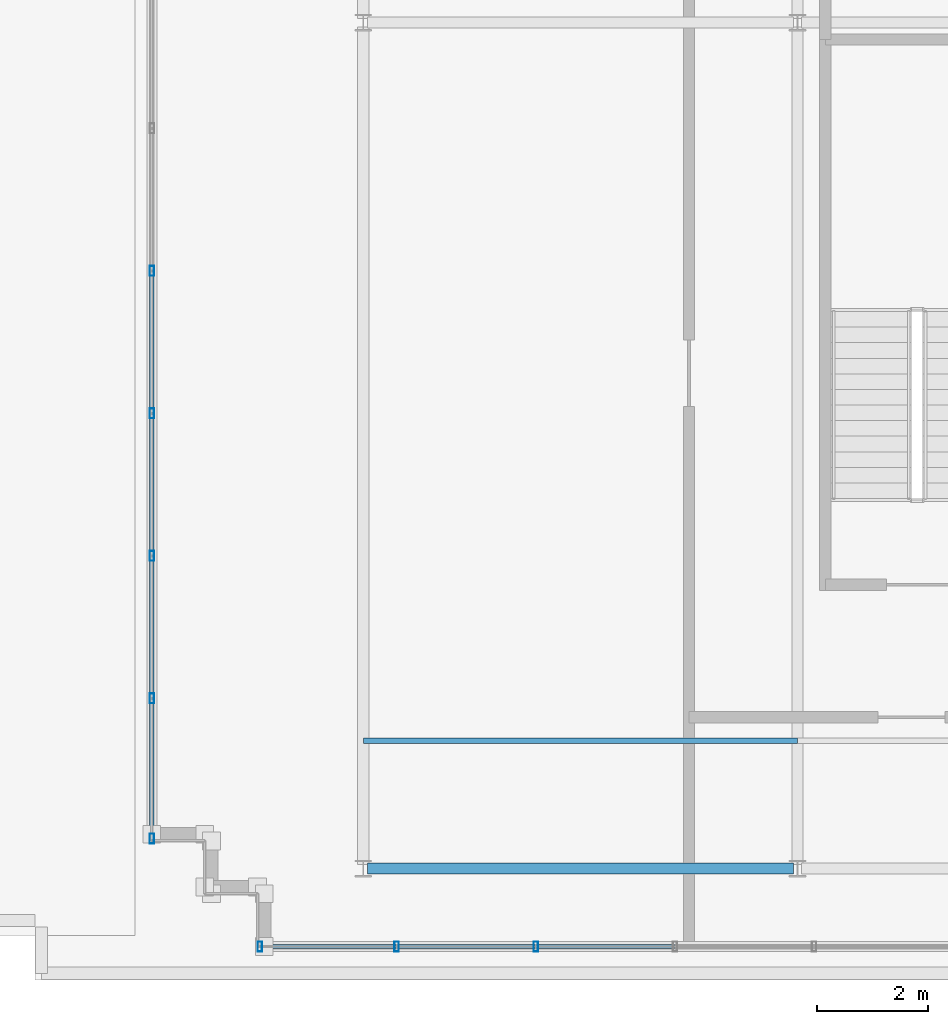
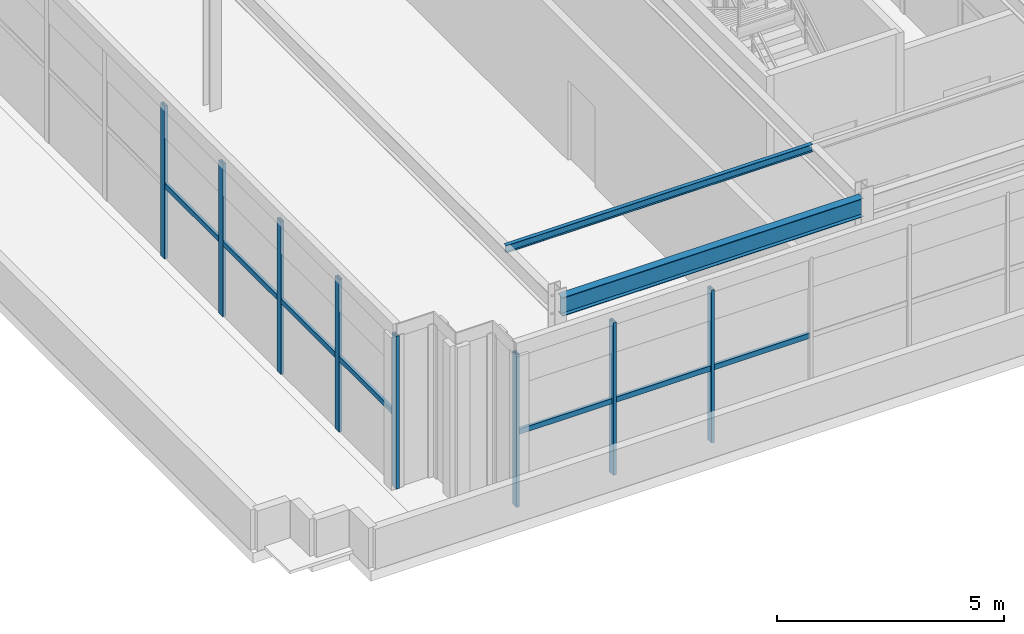
# One storey, part 13 of 28: 16 members, 1 beam, 2 elements without a shape of their own.
"""IFC4 building model written with IfcOpenShell, lengths in metres."""

from ifc_helpers import new_model, si_unit, direction, frame, origin, origin_2d, place, context, subcontext, project, spatial, hollow_rectangle, i_section, extrude, source, transform, mapped, material, material_profile, profile_set, type_object, element, aggregate, save


model = new_model("IFC4")

# Units and contexts
model_context = context("Model", 3, precision=1e-05, world=origin(), true_north=direction((0.0, 1.0)))
body_context = subcontext(model_context, "Body", "Model", "MODEL_VIEW")
ifc_project = project(units=[si_unit("LENGTHUNIT", "METRE"), si_unit("AREAUNIT", "SQUARE_METRE"), si_unit("VOLUMEUNIT", "CUBIC_METRE"), si_unit("PLANEANGLEUNIT", "RADIAN"), si_unit("MASSUNIT", "GRAM", prefix="KILO")], contexts=[model_context])

# Site, building, storey
site_placement = place(None, origin())
site = spatial("IfcSite", under=ifc_project, at=site_placement, CompositionType="ELEMENT")
building_placement = place(site_placement, origin())
building = spatial("IfcBuilding", under=site, at=building_placement, Name="Trelvane Seafront Commons", CompositionType="ELEMENT")
storey_placement = place(building_placement, frame((0.0, 0.0, 312.300048828125)))
storey = spatial("IfcBuildingStorey", under=building, at=storey_placement, Name="L81", CompositionType="ELEMENT", Elevation=312.300048828125)

# Beam
ifc_material_1 = material(Name="Steel SM355 (S355)", Category="steel")
ifc_material_profile_1 = material_profile(ifc_material_1, i_section(OverallWidth=0.199951171875, OverallDepth=0.5, WebThickness=0.010009765625, FlangeThickness=0.01611328125, at=origin_2d()), Name="H-500x200x10x16")
ifc_profile_set_1 = profile_set([ifc_material_profile_1], Name="Steel SM355 (S355)")
beam_type = type_object("IfcBeamType", Name="STR-CROWN-FRAME-RING", PredefinedType="SPANDREL", material=ifc_profile_set_1)
shared_shape_1 = source(origin(), body_context, "Body", "SweptSolid", [
    extrude(i_section(OverallWidth=0.199951171875, OverallDepth=0.5, WebThickness=0.010009765625, FlangeThickness=0.01611328125, at=origin_2d()), origin(), (0.0, 0.0, 1.0), 7.650146484375),
])
beam_placement = place(storey_placement, frame((51.074951171875, 18.199951171875, 3.85986328125), z_axis=(1.0, 0.0, 0.0), x_axis=(0.0, 1.0, 0.0)))
element("IfcBeam", 1, at=beam_placement, inside=storey, type_object=beam_type, Name="L81 CROWN FRAME Ring Beam G-03", PredefinedType="SPANDREL", context=body_context, shape_type="MappedRepresentation", body=[
    mapped(shared_shape_1, transform((0.0, 0.0, 0.0), x_axis=(1.0, 0.0, 0.0), y_axis=(0.0, 1.0, 0.0), z_axis=(0.0, 0.0, 1.0), scale=1.0)),
])

# Member
ifc_material_profile_2 = material_profile(ifc_material_1, i_section(OverallWidth=0.10009765625, OverallDepth=0.199951171875, WebThickness=0.005615234375, FlangeThickness=0.008056640625, at=origin_2d()), Name="H-200x100x5.5x8")
ifc_profile_set_2 = profile_set([ifc_material_profile_2], Name="Steel SM355 (S355)")
member_type_1 = type_object("IfcMemberType", Name="STR-PUR-H200", PredefinedType="PURLIN", material=ifc_profile_set_2)
shared_shape_2 = source(origin(), body_context, "Body", "SweptSolid", [
    extrude(i_section(OverallWidth=0.10009765625, OverallDepth=0.199951171875, WebThickness=0.005615234375, FlangeThickness=0.008056640625, at=origin_2d()), origin(), (0.0, 0.0, 1.0), 7.800048828125),
])
member_1_placement = place(storey_placement, frame((51.0, 20.5, 4.010009765625), z_axis=(1.0, 0.0, 0.0), x_axis=(0.0, 1.0, 0.0)))
element("IfcMember", 2, at=member_1_placement, inside=storey, type_object=member_type_1, Name="L81 Crown Roof Purlin PR-1", PredefinedType="PURLIN", context=body_context, shape_type="MappedRepresentation", body=[
    mapped(shared_shape_2, transform((0.0, 0.0, 0.0), x_axis=(1.0, 0.0, 0.0), y_axis=(0.0, 1.0, 0.0), z_axis=(0.0, 0.0, 1.0), scale=1.0)),
])

# Curtain wall, members
ifc_material_2 = material(Name="Anodised pale-silver aluminium", Category="aluminium")
curtain_wall_type = type_object("IfcCurtainWallType", Name="ARCH-CW6-CROWN", PredefinedType="NOTDEFINED", material=ifc_material_2)
curtain_wall_1_placement = place(storey_placement, origin())
curtain_wall_1 = element("IfcCurtainWall", 3, at=curtain_wall_1_placement, inside=storey, type_object=curtain_wall_type, Name="CW-L81-0148", PredefinedType="NOTDEFINED")
ifc_material_profile_3 = material_profile(ifc_material_2, hollow_rectangle(XDim=0.080078125, YDim=0.179931640625, WallThickness=0.00439453125, at=origin_2d()), Name="MULL-80x180x4.5")
ifc_profile_set_3 = profile_set([ifc_material_profile_3], Name="Anodised pale-silver aluminium")
member_type_2 = type_object("IfcMemberType", Name="ARCH-CW-MULL-180", PredefinedType="MULLION", material=ifc_profile_set_3)
shared_shape_3 = source(origin(), body_context, "Body", "SweptSolid", [
    extrude(hollow_rectangle(XDim=0.080078125, YDim=0.179931640625, WallThickness=0.00439453125, at=origin_2d()), origin(), (0.0, 0.0, 1.0), 4.10986328125),
])
member_2_placement = place(storey_placement, frame((47.199951171875, 18.739990234375, 0.0), z_axis=(0.0, 0.0, 1.0), x_axis=(1.0, 0.0, 0.0)))
member_2 = element("IfcMember", 4, at=member_2_placement, type_object=member_type_2, Name="CW-L81-0148-M00", PredefinedType="MULLION", context=body_context, shape_type="MappedRepresentation", body=[
    mapped(shared_shape_3, transform((0.0, 0.0, 0.0), x_axis=(1.0, 0.0, 0.0), y_axis=(0.0, 1.0, 0.0), z_axis=(0.0, 0.0, 1.0), scale=1.0)),
])
member_3_placement = place(storey_placement, frame((47.199951171875, 21.260009765625, 0.0), z_axis=(0.0, 0.0, 1.0), x_axis=(1.0, 0.0, 0.0)))
member_3 = element("IfcMember", 5, at=member_3_placement, type_object=member_type_2, Name="CW-L81-0148-M01", PredefinedType="MULLION", context=body_context, shape_type="MappedRepresentation", body=[
    mapped(shared_shape_3, transform((0.0, 0.0, 0.0), x_axis=(1.0, 0.0, 0.0), y_axis=(0.0, 1.0, 0.0), z_axis=(0.0, 0.0, 1.0), scale=1.0)),
])
member_4_placement = place(storey_placement, frame((47.199951171875, 23.820068359375, 0.0), z_axis=(0.0, 0.0, 1.0), x_axis=(1.0, 0.0, 0.0)))
member_4 = element("IfcMember", 6, at=member_4_placement, type_object=member_type_2, Name="CW-L81-0148-M02", PredefinedType="MULLION", context=body_context, shape_type="MappedRepresentation", body=[
    mapped(shared_shape_3, transform((0.0, 0.0, 0.0), x_axis=(1.0, 0.0, 0.0), y_axis=(0.0, 1.0, 0.0), z_axis=(0.0, 0.0, 1.0), scale=1.0)),
])
member_5_placement = place(storey_placement, frame((47.199951171875, 26.3798828125, 0.0), z_axis=(0.0, 0.0, 1.0), x_axis=(1.0, 0.0, 0.0)))
member_5 = element("IfcMember", 7, at=member_5_placement, type_object=member_type_2, Name="CW-L81-0148-M03", PredefinedType="MULLION", context=body_context, shape_type="MappedRepresentation", body=[
    mapped(shared_shape_3, transform((0.0, 0.0, 0.0), x_axis=(1.0, 0.0, 0.0), y_axis=(0.0, 1.0, 0.0), z_axis=(0.0, 0.0, 1.0), scale=1.0)),
])
member_6_placement = place(storey_placement, frame((47.199951171875, 28.93994140625, 0.0), z_axis=(0.0, 0.0, 1.0), x_axis=(1.0, 0.0, 0.0)))
member_6 = element("IfcMember", 8, at=member_6_placement, type_object=member_type_2, Name="CW-L81-0148-M04", PredefinedType="MULLION", context=body_context, shape_type="MappedRepresentation", body=[
    mapped(shared_shape_3, transform((0.0, 0.0, 0.0), x_axis=(1.0, 0.0, 0.0), y_axis=(0.0, 1.0, 0.0), z_axis=(0.0, 0.0, 1.0), scale=1.0)),
])

curtain_wall_2_placement = place(storey_placement, origin())
curtain_wall_2 = element("IfcCurtainWall", 9, at=curtain_wall_2_placement, inside=storey, type_object=curtain_wall_type, Name="CW-L81-0151", PredefinedType="NOTDEFINED")
member_7_placement = place(storey_placement, frame((54.10009765625, 16.800048828125, 0.0), z_axis=(0.0, 0.0, 1.0), x_axis=(1.0, 0.0, 0.0)))
member_7 = element("IfcMember", 10, at=member_7_placement, type_object=member_type_2, Name="CW-L81-0151-M04", PredefinedType="MULLION", context=body_context, shape_type="MappedRepresentation", body=[
    mapped(shared_shape_3, transform((0.0, 0.0, 0.0), x_axis=(1.0, 0.0, 0.0), y_axis=(0.0, 1.0, 0.0), z_axis=(0.0, 0.0, 1.0), scale=1.0)),
])
member_8_placement = place(storey_placement, frame((51.60009765625, 16.800048828125, 0.0), z_axis=(0.0, 0.0, 1.0), x_axis=(1.0, 0.0, 0.0)))
member_8 = element("IfcMember", 11, at=member_8_placement, type_object=member_type_2, Name="CW-L81-0151-M05", PredefinedType="MULLION", context=body_context, shape_type="MappedRepresentation", body=[
    mapped(shared_shape_3, transform((0.0, 0.0, 0.0), x_axis=(1.0, 0.0, 0.0), y_axis=(0.0, 1.0, 0.0), z_axis=(0.0, 0.0, 1.0), scale=1.0)),
])
member_9_placement = place(storey_placement, frame((49.139892578125, 16.800048828125, 0.0), z_axis=(0.0, 0.0, 1.0), x_axis=(1.0, 0.0, 0.0)))
member_9 = element("IfcMember", 12, at=member_9_placement, type_object=member_type_2, Name="CW-L81-0151-M06", PredefinedType="MULLION", context=body_context, shape_type="MappedRepresentation", body=[
    mapped(shared_shape_3, transform((0.0, 0.0, 0.0), x_axis=(1.0, 0.0, 0.0), y_axis=(0.0, 1.0, 0.0), z_axis=(0.0, 0.0, 1.0), scale=1.0)),
])

# Member
ifc_material_profile_4 = material_profile(ifc_material_2, hollow_rectangle(XDim=0.074951171875, YDim=0.139892578125, WallThickness=0.00390625, at=origin_2d()), Name="TRAN-75x140x4")
ifc_profile_set_4 = profile_set([ifc_material_profile_4], Name="Anodised pale-silver aluminium")
member_type_3 = type_object("IfcMemberType", Name="ARCH-CW-TRAN-140", PredefinedType="USERDEFINED", material=ifc_profile_set_4)
shared_shape_4 = source(origin(), body_context, "Body", "SweptSolid", [
    extrude(hollow_rectangle(XDim=0.074951171875, YDim=0.139892578125, WallThickness=0.00390625, at=origin_2d()), origin(), (0.0, 0.0, 1.0), 2.5361328125),
])
member_10_placement = place(storey_placement, frame((47.199951171875, 18.7119140625, 1.972900390625), z_axis=(0.0, 1.0, 0.0), x_axis=(-1.0, 0.0, 0.0)))
member_10 = element("IfcMember", 13, at=member_10_placement, type_object=member_type_3, Name="CW-L81-0148-T00", ObjectType="TRANSOM", PredefinedType="USERDEFINED", context=body_context, shape_type="MappedRepresentation", body=[
    mapped(shared_shape_4, transform((0.0, 0.0, 0.0), x_axis=(1.0, 0.0, 0.0), y_axis=(0.0, 1.0, 0.0), z_axis=(0.0, 0.0, 1.0), scale=1.0)),
])

member_11_placement = place(storey_placement, frame((47.199951171875, 21.27197265625, 1.972900390625), z_axis=(0.0, 1.0, 0.0), x_axis=(-1.0, 0.0, 0.0)))
member_11 = element("IfcMember", 14, at=member_11_placement, type_object=member_type_3, Name="CW-L81-0148-T01", ObjectType="TRANSOM", PredefinedType="USERDEFINED", context=body_context, shape_type="MappedRepresentation", body=[
    mapped(shared_shape_4, transform((0.0, 0.0, 0.0), x_axis=(1.0, 0.0, 0.0), y_axis=(0.0, 1.0, 0.0), z_axis=(0.0, 0.0, 1.0), scale=1.0)),
])

shared_shape_5 = source(origin(), body_context, "Body", "SweptSolid", [
    extrude(hollow_rectangle(XDim=0.074951171875, YDim=0.139892578125, WallThickness=0.00390625, at=origin_2d()), origin(), (0.0, 0.0, 1.0), 2.535888671875),
])
member_12_placement = place(storey_placement, frame((47.199951171875, 23.83203125, 1.972900390625), z_axis=(0.0, 1.0, 0.0), x_axis=(-1.0, 0.0, 0.0)))
member_12 = element("IfcMember", 15, at=member_12_placement, type_object=member_type_3, Name="CW-L81-0148-T02", ObjectType="TRANSOM", PredefinedType="USERDEFINED", context=body_context, shape_type="MappedRepresentation", body=[
    mapped(shared_shape_5, transform((0.0, 0.0, 0.0), x_axis=(1.0, 0.0, 0.0), y_axis=(0.0, 1.0, 0.0), z_axis=(0.0, 0.0, 1.0), scale=1.0)),
])

member_13_placement = place(storey_placement, frame((47.199951171875, 26.39208984375, 1.972900390625), z_axis=(0.0, 1.0, 0.0), x_axis=(-1.0, 0.0, 0.0)))
member_13 = element("IfcMember", 16, at=member_13_placement, type_object=member_type_3, Name="CW-L81-0148-T03", ObjectType="TRANSOM", PredefinedType="USERDEFINED", context=body_context, shape_type="MappedRepresentation", body=[
    mapped(shared_shape_5, transform((0.0, 0.0, 0.0), x_axis=(1.0, 0.0, 0.0), y_axis=(0.0, 1.0, 0.0), z_axis=(0.0, 0.0, 1.0), scale=1.0)),
])

aggregate(curtain_wall_1, [member_2, member_3, member_4, member_5, member_6, member_10, member_11, member_12, member_13])

shared_shape_6 = source(origin(), body_context, "Body", "SweptSolid", [
    extrude(hollow_rectangle(XDim=0.074951171875, YDim=0.139892578125, WallThickness=0.00390625, at=origin_2d()), origin(), (0.0, 0.0, 1.0), 2.475830078125),
])
member_14_placement = place(storey_placement, frame((56.587890625, 16.800048828125, 1.972900390625), z_axis=(-1.0, 0.0, 0.0), x_axis=(0.0, -1.0, 0.0)))
member_14 = element("IfcMember", 17, at=member_14_placement, type_object=member_type_3, Name="CW-L81-0151-T03", ObjectType="TRANSOM", PredefinedType="USERDEFINED", context=body_context, shape_type="MappedRepresentation", body=[
    mapped(shared_shape_6, transform((0.0, 0.0, 0.0), x_axis=(1.0, 0.0, 0.0), y_axis=(0.0, 1.0, 0.0), z_axis=(0.0, 0.0, 1.0), scale=1.0)),
])

member_15_placement = place(storey_placement, frame((54.087890625, 16.800048828125, 1.972900390625), z_axis=(-1.0, 0.0, 0.0), x_axis=(0.0, -1.0, 0.0)))
member_15 = element("IfcMember", 18, at=member_15_placement, type_object=member_type_3, Name="CW-L81-0151-T04", ObjectType="TRANSOM", PredefinedType="USERDEFINED", context=body_context, shape_type="MappedRepresentation", body=[
    mapped(shared_shape_6, transform((0.0, 0.0, 0.0), x_axis=(1.0, 0.0, 0.0), y_axis=(0.0, 1.0, 0.0), z_axis=(0.0, 0.0, 1.0), scale=1.0)),
])

member_16_placement = place(storey_placement, frame((51.587890625, 16.800048828125, 1.972900390625), z_axis=(-1.0, 0.0, 0.0), x_axis=(0.0, -1.0, 0.0)))
member_16 = element("IfcMember", 19, at=member_16_placement, type_object=member_type_3, Name="CW-L81-0151-T05", ObjectType="TRANSOM", PredefinedType="USERDEFINED", context=body_context, shape_type="MappedRepresentation", body=[
    mapped(shared_shape_6, transform((0.0, 0.0, 0.0), x_axis=(1.0, 0.0, 0.0), y_axis=(0.0, 1.0, 0.0), z_axis=(0.0, 0.0, 1.0), scale=1.0)),
])

aggregate(curtain_wall_2, [member_7, member_8, member_9, member_14, member_15, member_16])

save(model, "model.ifc")
